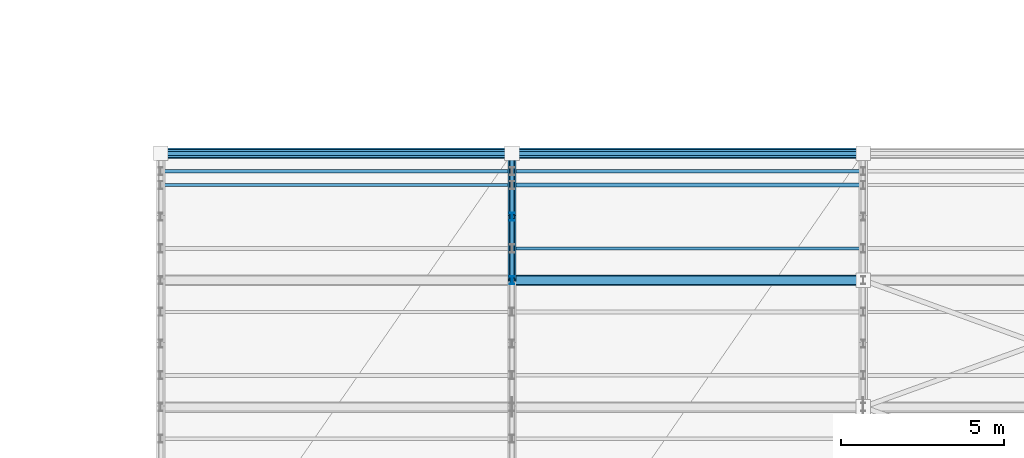
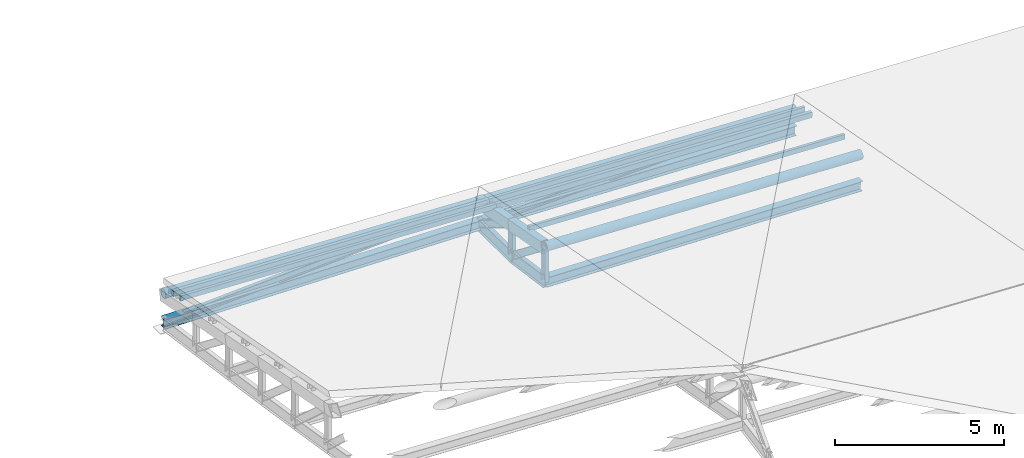
# One storey, part 18 of 89: 17 members, 4 beams.
"""IFC4 building model written with IfcOpenShell, lengths in metres."""

from ifc_helpers import new_model, si_unit, direction, frame, origin, origin_2d, place, context, subcontext, project, spatial, hollow_rectangle, hollow_circle, i_section, extrude, material, material_profile, profile_set, type_object, element, save


model = new_model("IFC4")

# Units and contexts
model_context = context("Model", 3, precision=1e-05, world=origin(), true_north=direction((0.0, 1.0)))
body_context = subcontext(model_context, "Body", "Model", "MODEL_VIEW")
ifc_project = project(units=[si_unit("LENGTHUNIT", "METRE"), si_unit("AREAUNIT", "SQUARE_METRE"), si_unit("VOLUMEUNIT", "CUBIC_METRE"), si_unit("PLANEANGLEUNIT", "RADIAN"), si_unit("MASSUNIT", "GRAM", prefix="KILO")], contexts=[model_context])

# Site, building, storey
site_placement = place(None, origin())
site = spatial("IfcSite", under=ifc_project, at=site_placement, CompositionType="ELEMENT")
building_placement = place(site_placement, origin())
building = spatial("IfcBuilding", under=site, at=building_placement, Name="Suirenkawa Promenade Aquatics Centre", CompositionType="ELEMENT")
storey_placement = place(building_placement, frame((0.0, 0.0, 9.60009765625)))
storey = spatial("IfcBuildingStorey", under=building, at=storey_placement, Name="L02", CompositionType="ELEMENT", Elevation=9.60009765625)

# Beams
ifc_material = material(Name="Steel IS 2062 E350 (Grade 350)", Category="steel")
ifc_material_profile_1 = material_profile(ifc_material, i_section(OverallWidth=0.14990234375, OverallDepth=0.449951171875, WebThickness=0.009033203125, FlangeThickness=0.01708984375, at=origin_2d()), Name="ISMB 450", Category="steel")
ifc_profile_set_1 = profile_set([ifc_material_profile_1], Name="Steel IS 2062 E350 (Grade 350)")
beam_type_1 = type_object("IfcBeamType", Name="BT-STL-ISMB450", PredefinedType="BEAM", material=ifc_profile_set_1)
beam_1_placement = place(storey_placement, frame((90.0, 24.89990234375, -1.4580078125), z_axis=(0.0, 0.989986639719, -0.141161089464), x_axis=(-1.0, 0.0, 0.0)))
element("IfcBeam", 1, at=beam_1_placement, inside=storey, type_object=beam_type_1, Name="ROOF TRUSS V3 bottom chord BM-08 BM-2636", PredefinedType="BEAM", context=body_context, shape_type="SweptSolid", body=[
    extrude(i_section(OverallWidth=0.14990234375, OverallDepth=0.449951171875, WebThickness=0.009033203125, FlangeThickness=0.01708984375, at=origin_2d()), origin(), (0.0, 0.0, 1.0), 1.969970703125),
])
beam_2_placement = place(storey_placement, frame((90.0, 26.85009765625, -1.736083984375), z_axis=(0.0, 0.999974535465, -0.00713641524), x_axis=(-1.0, 0.0, 0.0)))
element("IfcBeam", 2, at=beam_2_placement, inside=storey, type_object=beam_type_1, Name="ROOF TRUSS V3 bottom chord BM-08 BM-2638", PredefinedType="BEAM", context=body_context, shape_type="SweptSolid", body=[
    extrude(i_section(OverallWidth=0.14990234375, OverallDepth=0.449951171875, WebThickness=0.009033203125, FlangeThickness=0.01708984375, at=origin_2d()), origin(), (0.0, 0.0, 1.0), 1.949951171875),
])
ifc_material_profile_2 = material_profile(ifc_material, hollow_rectangle(XDim=0.25, YDim=0.39990234375, WallThickness=0.01611328125, at=origin_2d()), Name="RHS 400x250x16", Category="steel")
ifc_profile_set_2 = profile_set([ifc_material_profile_2], Name="Steel IS 2062 E350 (Grade 350)")
beam_type_2 = type_object("IfcBeamType", Name="BT-TC-RHS400", PredefinedType="BEAM", material=ifc_profile_set_2)
beam_3_placement = place(storey_placement, frame((90.0, 24.89990234375, -0.22216796875), z_axis=(0.0, 0.982575710299, -0.185862781455), x_axis=(-1.0, 0.0, 0.0)))
element("IfcBeam", 3, at=beam_3_placement, inside=storey, type_object=beam_type_2, Name="ROOF TRUSS V3 top chord TC-03 BM-2635", PredefinedType="BEAM", context=body_context, shape_type="SweptSolid", body=[
    extrude(hollow_rectangle(XDim=0.25, YDim=0.39990234375, WallThickness=0.01611328125, at=origin_2d()), origin(), (0.0, 0.0, 1.0), 1.98486328125),
])
beam_4_placement = place(storey_placement, frame((90.0, 26.85009765625, -0.591064453125), z_axis=(0.0, 0.98254898431, -0.186004014558), x_axis=(-1.0, 0.0, 0.0)))
element("IfcBeam", 4, at=beam_4_placement, inside=storey, type_object=beam_type_2, Name="ROOF TRUSS V3 top chord TC-03 BM-2637", PredefinedType="BEAM", context=body_context, shape_type="SweptSolid", body=[
    extrude(hollow_rectangle(XDim=0.25, YDim=0.39990234375, WallThickness=0.01611328125, at=origin_2d()), origin(), (0.0, 0.0, 1.0), 1.984619140625),
])

# Members
ifc_material_profile_3 = material_profile(ifc_material, hollow_circle(Radius=0.162109375, WallThickness=0.013916015625, at=origin_2d()), Name="CHS 324x14", Category="steel")
ifc_profile_set_3 = profile_set([ifc_material_profile_3], Name="Steel IS 2062 E350 (Grade 350)")
member_type_1 = type_object("IfcMemberType", Name="MT-CHORD-CHS324", PredefinedType="CHORD", material=ifc_profile_set_3)
for number, where, z_axis, x_axis, name in (
    (5, (79.199951171875, 28.800048828125, -0.510009765625), (0.999132329203, 0.0, -0.041648394219), (0.0, 1.0, 0.0), "ROOF TRUSS V3 eave top chord CH-01 MB-1514"),
    (6, (90.0, 28.800048828125, -0.960205078125), (0.9991332688, 0.0, -0.041625847467), (0.0, 1.0, 0.0), "ROOF TRUSS V3 eave top chord CH-01 MB-1517"),
    (7, (90.0, 24.89990234375, -0.22216796875), (0.9991332688, 0.0, -0.041625847467), (0.0, 1.0, 0.0), "ROOF TRUSS V3 tie chord CH-01 MB-1621"),
):
    element("IfcMember", number, at=place(storey_placement, frame(where, z_axis=z_axis, x_axis=x_axis)), inside=storey, type_object=member_type_1, Name=name, PredefinedType="CHORD", context=body_context, shape_type="SweptSolid", body=[
        extrude(hollow_circle(Radius=0.162109375, WallThickness=0.013916015625, at=origin_2d()), origin(), (0.0, 0.0, 1.0), 10.809326171875),
    ])
ifc_material_profile_4 = material_profile(ifc_material, i_section(OverallWidth=0.25, OverallDepth=0.35009765625, WebThickness=0.010009765625, FlangeThickness=0.011962890625, at=origin_2d()), Name="ISHB 350", Category="steel")
ifc_profile_set_4 = profile_set([ifc_material_profile_4], Name="Steel IS 2062 E350 (Grade 350)")
member_type_2 = type_object("IfcMemberType", Name="MT-CHORD-ISHB350", PredefinedType="CHORD", material=ifc_profile_set_4)
member_1_placement = place(storey_placement, frame((79.199951171875, 28.800048828125, -1.56005859375), z_axis=(0.99984538304, 0.0, -0.01758436847), x_axis=(0.0, 1.0, 0.0)))
element("IfcMember", 8, at=member_1_placement, inside=storey, type_object=member_type_2, Name="ROOF TRUSS V3 eave bottom chord CH-04 MB-1515", PredefinedType="CHORD", context=body_context, shape_type="SweptSolid", body=[
    extrude(i_section(OverallWidth=0.25, OverallDepth=0.35009765625, WebThickness=0.010009765625, FlangeThickness=0.011962890625, at=origin_2d()), origin(), (0.0, 0.0, 1.0), 10.8017578125),
])
member_2_placement = place(storey_placement, frame((90.0, 28.800048828125, -1.75), z_axis=(0.999444580951, 0.0, -0.033324609646), x_axis=(0.0, 1.0, 0.0)))
element("IfcMember", 9, at=member_2_placement, inside=storey, type_object=member_type_2, Name="ROOF TRUSS V3 eave bottom chord CH-04 MB-1518", PredefinedType="CHORD", context=body_context, shape_type="SweptSolid", body=[
    extrude(i_section(OverallWidth=0.25, OverallDepth=0.35009765625, WebThickness=0.010009765625, FlangeThickness=0.011962890625, at=origin_2d()), origin(), (0.0, 0.0, 1.0), 10.80615234375),
])
member_3_placement = place(storey_placement, frame((90.0, 24.89990234375, -1.4580078125), z_axis=(0.999634722416, 0.0, -0.027026315709), x_axis=(0.0, 1.0, 0.0)))
element("IfcMember", 10, at=member_3_placement, inside=storey, type_object=member_type_2, Name="ROOF TRUSS V3 bottom tie CH-04 MB-1622", PredefinedType="CHORD", context=body_context, shape_type="SweptSolid", body=[
    extrude(i_section(OverallWidth=0.25, OverallDepth=0.35009765625, WebThickness=0.010009765625, FlangeThickness=0.011962890625, at=origin_2d()), origin(), (0.0, 0.0, 1.0), 10.803955078125),
])
ifc_material_profile_5 = material_profile(ifc_material, hollow_rectangle(XDim=0.10009765625, YDim=0.179931640625, WallThickness=0.008056640625, at=origin_2d()), Name="RHS 180x100x8", Category="steel")
ifc_profile_set_5 = profile_set([ifc_material_profile_5], Name="Steel IS 2062 E350 (Grade 350)")
member_type_3 = type_object("IfcMemberType", Name="MT-PURLIN-RHS180", PredefinedType="PURLIN", material=ifc_profile_set_5)
for number, where, z_axis, x_axis, name in (
    (11, (79.199951171875, 27.824951171875, -0.072998046875), (0.999132329203, 0.0, -0.041648394219), (0.0, 1.0, 0.0), "ROOF TRUSS Roof purlin PU-01 MB-2659"),
    (12, (90.0, 25.875, -0.154052734375), (0.9991332688, 0.0, -0.041625847467), (0.0, 1.0, 0.0), "ROOF TRUSS Roof purlin PU-01 MB-2699"),
    (13, (90.0, 28.25, -0.60302734375), (0.9991332688, 0.0, -0.041625847467), (0.0, 1.0, 0.0), "ROOF TRUSS Roof purlin PU-01 MB-2703"),
):
    element("IfcMember", number, at=place(storey_placement, frame(where, z_axis=z_axis, x_axis=x_axis)), inside=storey, type_object=member_type_3, Name=name, PredefinedType="PURLIN", context=body_context, shape_type="SweptSolid", body=[
        extrude(hollow_rectangle(XDim=0.10009765625, YDim=0.179931640625, WallThickness=0.008056640625, at=origin_2d()), origin(), (0.0, 0.0, 1.0), 10.809326171875),
    ])
ifc_material_profile_6 = material_profile(ifc_material, hollow_rectangle(XDim=0.1201171875, YDim=0.199951171875, WallThickness=0.008056640625, at=origin_2d()), Name="RHS 200x120x8", Category="steel")
ifc_profile_set_6 = profile_set([ifc_material_profile_6], Name="Steel IS 2062 E350 (Grade 350)")
member_type_4 = type_object("IfcMemberType", Name="MT-PURLIN-RHS200", PredefinedType="PURLIN", material=ifc_profile_set_6)
for number, where, z_axis, x_axis, name in (
    (14, (79.199951171875, 28.25, -0.1650390625), (0.9991332688, 0.0, -0.041625847467), (0.0, 1.0, 0.0), "ROOF TRUSS Roof purlin PU-02 MB-2662"),
    (15, (90.0, 27.824951171875, -0.5341796875), (0.9991332688, 0.0, -0.041625847467), (0.0, 1.0, 0.0), "ROOF TRUSS Roof purlin PU-02 MB-2701"),
):
    element("IfcMember", number, at=place(storey_placement, frame(where, z_axis=z_axis, x_axis=x_axis)), inside=storey, type_object=member_type_4, Name=name, PredefinedType="PURLIN", context=body_context, shape_type="SweptSolid", body=[
        extrude(hollow_rectangle(XDim=0.1201171875, YDim=0.199951171875, WallThickness=0.008056640625, at=origin_2d()), origin(), (0.0, 0.0, 1.0), 10.809326171875),
    ])
ifc_material_profile_7 = material_profile(ifc_material, i_section(OverallWidth=0.125, OverallDepth=0.25, WebThickness=0.007080078125, FlangeThickness=0.012939453125, at=origin_2d()), Name="ISMB 250", Category="steel")
ifc_profile_set_7 = profile_set([ifc_material_profile_7], Name="Steel IS 2062 E350 (Grade 350)")
member_type_5 = type_object("IfcMemberType", Name="MT-WEB-CHS168", PredefinedType="BRACE", material=ifc_profile_set_7)
member_4_placement = place(storey_placement, frame((90.0, 24.89990234375, -0.22216796875), z_axis=(0.0, 0.789921627577, -0.613207813295), x_axis=(-1.0, 0.0, 0.0)))
element("IfcMember", 16, at=member_4_placement, inside=storey, type_object=member_type_5, Name="ROOF TRUSS V3 web diagonal TD-03 MB-1321", PredefinedType="BRACE", context=body_context, shape_type="SweptSolid", body=[
    extrude(i_section(OverallWidth=0.125, OverallDepth=0.25, WebThickness=0.007080078125, FlangeThickness=0.012939453125, at=origin_2d()), origin(), (0.0, 0.0, 1.0), 2.46875),
])
member_5_placement = place(storey_placement, frame((90.0, 26.85009765625, -0.591064453125), z_axis=(0.0, 0.859631710804, -0.510914201976), x_axis=(-1.0, 0.0, 0.0)))
element("IfcMember", 17, at=member_5_placement, inside=storey, type_object=member_type_5, Name="ROOF TRUSS V3 web diagonal TD-03 MB-1322", PredefinedType="BRACE", context=body_context, shape_type="SweptSolid", body=[
    extrude(i_section(OverallWidth=0.125, OverallDepth=0.25, WebThickness=0.007080078125, FlangeThickness=0.012939453125, at=origin_2d()), origin(), (0.0, 0.0, 1.0), 2.268310546875),
])
member_6_placement = place(storey_placement, frame((90.0, 24.89990234375, -1.4580078125), z_axis=(0.0, 0.0, 1.0), x_axis=(1.0, 0.0, 0.0)))
element("IfcMember", 18, at=member_6_placement, inside=storey, type_object=member_type_5, Name="ROOF TRUSS V3 web post TD-03 MB-1336", PredefinedType="BRACE", context=body_context, shape_type="SweptSolid", body=[
    extrude(i_section(OverallWidth=0.125, OverallDepth=0.25, WebThickness=0.007080078125, FlangeThickness=0.012939453125, at=origin_2d()), origin(), (0.0, 0.0, 1.0), 1.23583984375),
])
member_7_placement = place(storey_placement, frame((90.0, 26.85009765625, -1.736083984375), z_axis=(0.0, 0.0, 1.0), x_axis=(1.0, 0.0, 0.0)))
element("IfcMember", 19, at=member_7_placement, inside=storey, type_object=member_type_5, Name="ROOF TRUSS V3 web post TD-03 MB-1337", PredefinedType="BRACE", context=body_context, shape_type="SweptSolid", body=[
    extrude(i_section(OverallWidth=0.125, OverallDepth=0.25, WebThickness=0.007080078125, FlangeThickness=0.012939453125, at=origin_2d()), origin(), (0.0, 0.0, 1.0), 1.14501953125),
])
member_8_placement = place(storey_placement, frame((79.199951171875, 28.800048828125, -1.56005859375), z_axis=(0.998461117043, 0.0, 0.055456268838), x_axis=(0.0, 1.0, 0.0)))
element("IfcMember", 20, at=member_8_placement, inside=storey, type_object=member_type_5, Name="ROOF TRUSS V3 eave web diagonal TD-03 MB-1516", PredefinedType="BRACE", context=body_context, shape_type="SweptSolid", body=[
    extrude(i_section(OverallWidth=0.125, OverallDepth=0.25, WebThickness=0.007080078125, FlangeThickness=0.012939453125, at=origin_2d()), origin(), (0.0, 0.0, 1.0), 10.816650390625),
])
member_9_placement = place(storey_placement, frame((90.0, 28.800048828125, -1.75), z_axis=(0.999505285351, 0.0, 0.031451304501), x_axis=(0.0, 1.0, 0.0)))
element("IfcMember", 21, at=member_9_placement, inside=storey, type_object=member_type_5, Name="ROOF TRUSS V3 eave web diagonal TD-03 MB-1519", PredefinedType="BRACE", context=body_context, shape_type="SweptSolid", body=[
    extrude(i_section(OverallWidth=0.125, OverallDepth=0.25, WebThickness=0.007080078125, FlangeThickness=0.012939453125, at=origin_2d()), origin(), (0.0, 0.0, 1.0), 10.805419921875),
])

save(model, "model.ifc")
